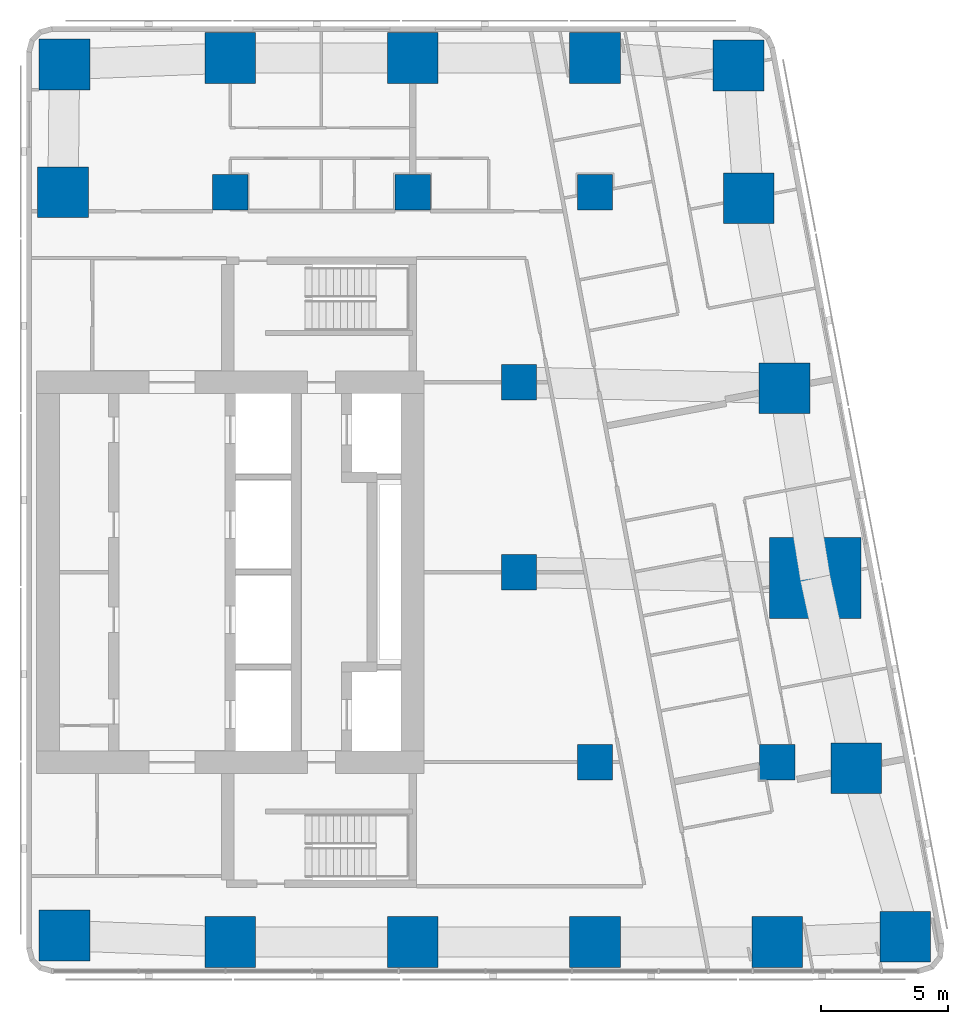
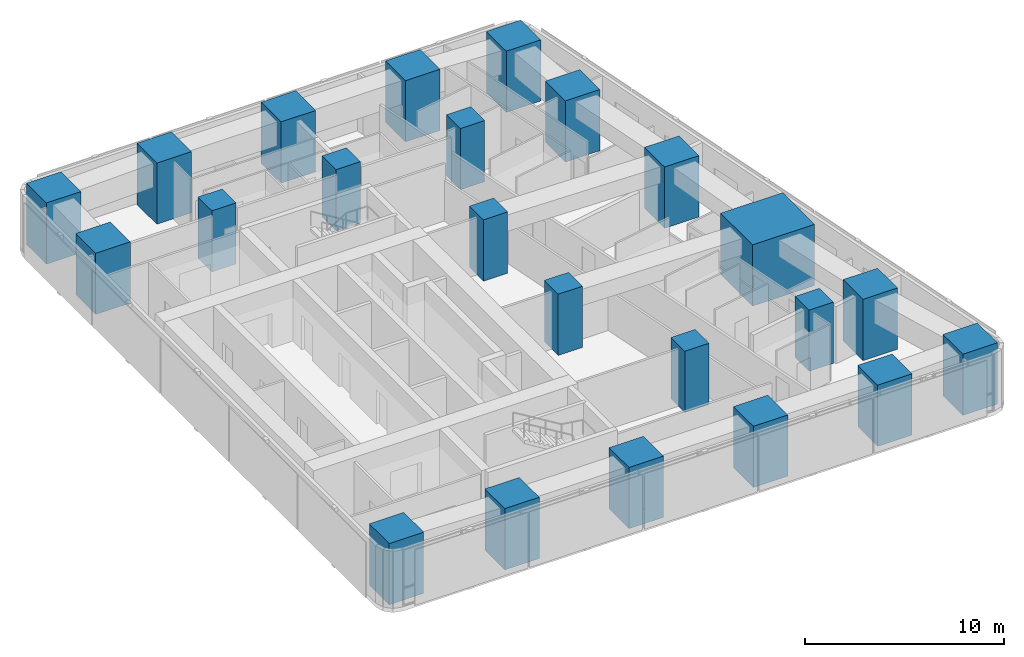
# One storey, part 1 of 11: 23 columns.
"""IFC4 building model written with IfcOpenShell, lengths in metres."""

from ifc_helpers import new_model, si_unit, direction, frame, origin, origin_2d, place, context, subcontext, project, spatial, rectangle, extrude, material, material_profile, profile_set, type_object, element, save


model = new_model("IFC4")

# Units and contexts
model_context = context("Model", 3, precision=1e-05, world=origin(), true_north=direction((0.0, 1.0)))
body_context = subcontext(model_context, "Body", "Model", "MODEL_VIEW")
ifc_project = project(units=[si_unit("LENGTHUNIT", "METRE"), si_unit("AREAUNIT", "SQUARE_METRE"), si_unit("VOLUMEUNIT", "CUBIC_METRE"), si_unit("PLANEANGLEUNIT", "RADIAN"), si_unit("MASSUNIT", "GRAM", prefix="KILO")], contexts=[model_context])

# Site, building, storey
site_placement = place(None, origin())
site = spatial("IfcSite", under=ifc_project, at=site_placement, CompositionType="ELEMENT")
building_placement = place(site_placement, origin())
building = spatial("IfcBuilding", under=site, at=building_placement, Name="Sheger Commons Tower", CompositionType="ELEMENT")
storey_placement = place(building_placement, frame((0.0, 0.0, 277.85009765625)))
storey = spatial("IfcBuildingStorey", under=building, at=storey_placement, Name="L71", CompositionType="ELEMENT", Elevation=277.85009765625)

# Columns
ifc_material_1 = material(Name="Concrete C50/60", Category="concrete")
ifc_material_profile_1 = material_profile(ifc_material_1, rectangle(XDim=3.60009765625, YDim=3.199951171875, at=origin_2d()), Name="RC 3600x3200")
ifc_profile_set_1 = profile_set([ifc_material_profile_1], Name="Concrete C50/60")
column_type_1 = type_object("IfcColumnType", Name="COLUMN PIER RC 3600x3200", PredefinedType="COLUMN", material=ifc_profile_set_1)
column_placement = place(storey_placement, frame((44.697021484375, 22.262939453125, 0.0), z_axis=(0.0, 0.0, 1.0), x_axis=(1.0, 0.0, 0.0)))
element("IfcColumn", 1, at=column_placement, inside=storey, type_object=column_type_1, Name="Pier 7/D+E/D L71", PredefinedType="COLUMN", context=body_context, shape_type="SweptSolid", body=[
    extrude(rectangle(XDim=3.60009765625, YDim=3.199951171875, at=origin_2d()), origin(), (0.0, 0.0, 1.0), 3.75),
])
ifc_material_2 = material(Name="Concrete C50/60", Category="concrete")
ifc_material_profile_2 = material_profile(ifc_material_2, rectangle(XDim=1.39990234375, YDim=1.39990234375, at=origin_2d()), Name="RC 1400x1400")
ifc_profile_set_2 = profile_set([ifc_material_profile_2], Name="Concrete C50/60")
column_type_2 = type_object("IfcColumnType", Name="COLUMN RC 1400x1400", PredefinedType="COLUMN", material=ifc_profile_set_2)
for number, where, z_axis, x_axis, name in (
    (2, (36.0, 15.0, 0.0), (0.0, 0.0, 1.0), (1.0, 0.0, 0.0), "Column 6/C L71"),
    (3, (43.199951171875, 15.0, 0.0), (0.0, 0.0, 1.0), (1.0, 0.0, 0.0), "Column 7/C L71"),
    (4, (33.0, 22.5, 0.0), (0.0, 0.0, 1.0), (1.0, 0.0, 0.0), "Column 6-3000/D L71"),
    (5, (33.0, 30.0, 0.0), (0.0, 0.0, 1.0), (1.0, 0.0, 0.0), "Column 6-3000/E L71"),
    (6, (21.60009765625, 37.5, 0.0), (0.0, 0.0, 1.0), (1.0, 0.0, 0.0), "Column 4/F L71"),
    (7, (28.800048828125, 37.5, 0.0), (0.0, 0.0, 1.0), (1.0, 0.0, 0.0), "Column 5/F L71"),
    (8, (36.0, 37.5, 0.0), (0.0, 0.0, 1.0), (1.0, 0.0, 0.0), "Column 6/F L71"),
):
    element("IfcColumn", number, at=place(storey_placement, frame(where, z_axis=z_axis, x_axis=x_axis)), inside=storey, type_object=column_type_2, Name=name, PredefinedType="COLUMN", context=body_context, shape_type="SweptSolid", body=[
        extrude(rectangle(XDim=1.39990234375, YDim=1.39990234375, at=origin_2d()), origin(), (0.0, 0.0, 1.0), 3.75),
    ])
ifc_material_3 = material(Name="Concrete C50/60", Category="concrete")
ifc_material_profile_3 = material_profile(ifc_material_3, rectangle(XDim=2.0, YDim=2.0, at=origin_2d()), Name="RC 2000x2000")
ifc_profile_set_3 = profile_set([ifc_material_profile_3], Name="Concrete C50/60")
column_type_3 = type_object("IfcColumnType", Name="COLUMN RC 2000x2000", PredefinedType="COLUMN", material=ifc_profile_set_3)
for number, where, z_axis, x_axis, name in (
    (9, (15.053955078125, 8.154052734375, 0.0), (0.0, 0.0, 1.0), (1.0, 0.0, 0.0), "Column 3/B L71"),
    (10, (21.60009765625, 7.89990234375, 0.0), (0.0, 0.0, 1.0), (1.0, 0.0, 0.0), "Column 4/B L71"),
    (11, (28.800048828125, 7.89990234375, 0.0), (0.0, 0.0, 1.0), (1.0, 0.0, 0.0), "Column 5/B L71"),
    (12, (36.0, 7.89990234375, 0.0), (0.0, 0.0, 1.0), (1.0, 0.0, 0.0), "Column 6/B L71"),
    (13, (43.199951171875, 7.89990234375, 0.0), (0.0, 0.0, 1.0), (1.0, 0.0, 0.0), "Column 7/B L71"),
    (14, (48.251953125, 8.10693359375, 0.0), (0.0, 0.0, 1.0), (1.0, 0.0, 0.0), "Column E/B L71"),
    (15, (46.31396484375, 14.762939453125, 0.0), (0.0, 0.0, 1.0), (1.0, 0.0, 0.0), "Column E/C L71"),
    (16, (43.47998046875, 29.762939453125, 0.0), (0.0, 0.0, 1.0), (1.0, 0.0, 0.0), "Column E/E L71"),
    (17, (15.0, 37.5, 0.0), (0.0, 0.0, 1.0), (1.0, 0.0, 0.0), "Column 3/F L71"),
    (18, (42.06396484375, 37.262939453125, 0.0), (0.0, 0.0, 1.0), (1.0, 0.0, 0.0), "Column E/F L71"),
    (19, (15.053955078125, 42.5458984375, 0.0), (0.0, 0.0, 1.0), (1.0, 0.0, 0.0), "Column 3/G-1.8 L71"),
    (20, (21.60009765625, 42.800048828125, 0.0), (0.0, 0.0, 1.0), (1.0, 0.0, 0.0), "Column 4/G-1.8 L71"),
    (21, (28.800048828125, 42.800048828125, 0.0), (0.0, 0.0, 1.0), (1.0, 0.0, 0.0), "Column 5/G-1.8 L71"),
    (22, (36.0, 42.800048828125, 0.0), (0.0, 0.0, 1.0), (1.0, 0.0, 0.0), "Column 6/G-1.8 L71"),
    (23, (41.6669921875, 42.506103515625, 0.0), (0.0, 0.0, 1.0), (1.0, 0.0, 0.0), "Column E/G-1.8 L71"),
):
    element("IfcColumn", number, at=place(storey_placement, frame(where, z_axis=z_axis, x_axis=x_axis)), inside=storey, type_object=column_type_3, Name=name, PredefinedType="COLUMN", context=body_context, shape_type="SweptSolid", body=[
        extrude(rectangle(XDim=2.0, YDim=2.0, at=origin_2d()), origin(), (0.0, 0.0, 1.0), 3.75),
    ])

save(model, "model.ifc")
